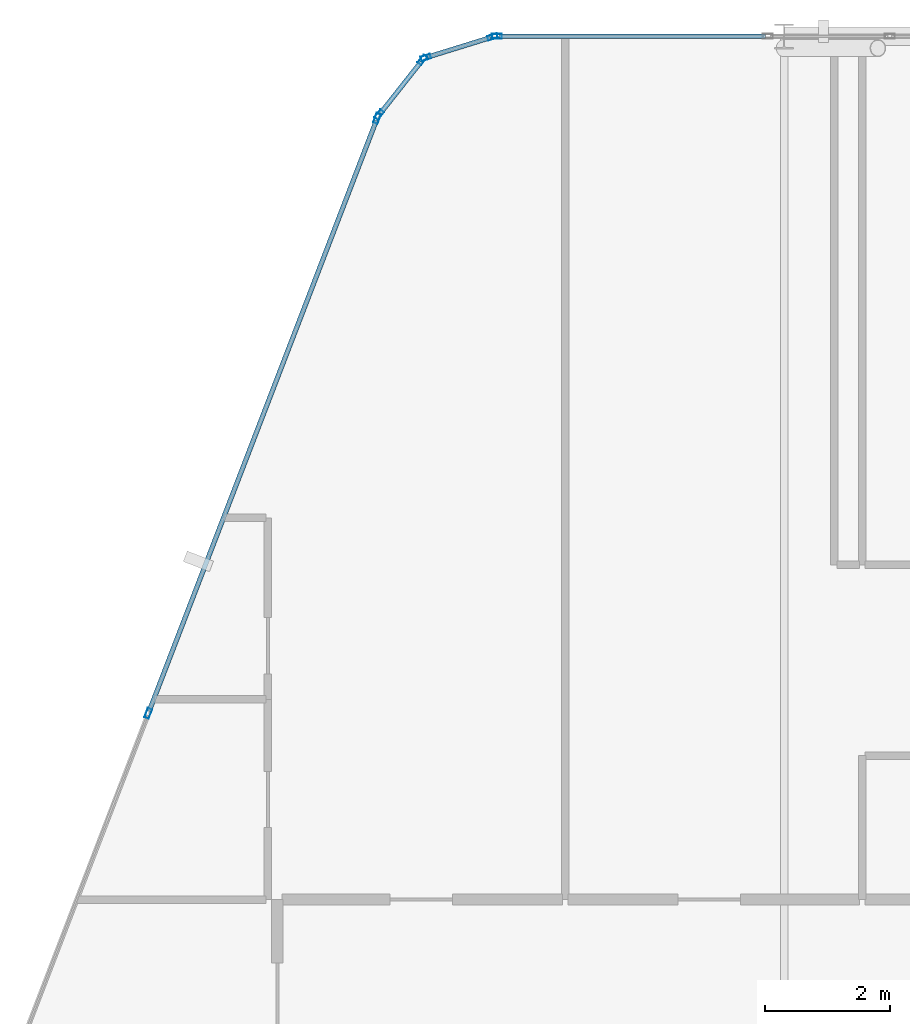
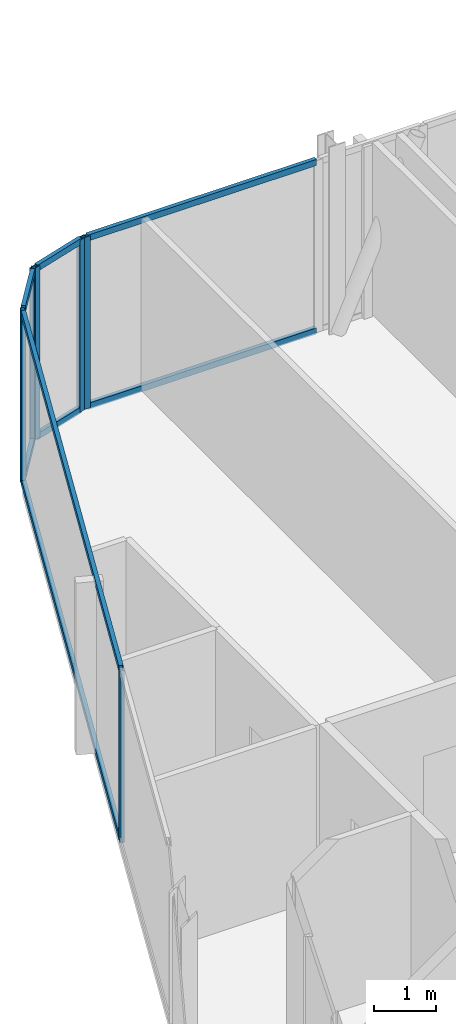
# One storey, part 15 of 28: 15 members, 4 elements without a shape of their own.
"""IFC4 building model written with IfcOpenShell, lengths in metres."""

from ifc_helpers import new_model, si_unit, direction, frame, origin, origin_2d, place, context, subcontext, project, spatial, hollow_rectangle, extrude, material, layer, layer_set, material_profile, profile_set, type_object, element, aggregate, save


model = new_model("IFC4")

# Units and contexts
model_context = context("Model", 3, precision=1e-05, world=origin(), true_north=direction((0.0, 1.0)))
body_context = subcontext(model_context, "Body", "Model", "MODEL_VIEW")
ifc_project = project(units=[si_unit("LENGTHUNIT", "METRE"), si_unit("AREAUNIT", "SQUARE_METRE"), si_unit("VOLUMEUNIT", "CUBIC_METRE"), si_unit("PLANEANGLEUNIT", "RADIAN"), si_unit("MASSUNIT", "GRAM", prefix="KILO")], contexts=[model_context])

# Site, building, storey
site_placement = place(None, origin())
site = spatial("IfcSite", under=ifc_project, at=site_placement, CompositionType="ELEMENT")
building_placement = place(site_placement, origin())
building = spatial("IfcBuilding", under=site, at=building_placement, Name="Keshet Zoharim Tower", CompositionType="ELEMENT")
storey_placement = place(building_placement, frame((0.0, 0.0, 265.800048828125)))
storey = spatial("IfcBuildingStorey", under=building, at=storey_placement, Name="L66", CompositionType="ELEMENT", Elevation=265.800048828125)

# Curtain wall, members
ifc_material = material(Name="Aluminium 6063-T6", Category="aluminium")
ifc_layer = layer(ifc_material, 0.260009765625)
ifc_layer_set = layer_set([ifc_layer], Name="Aluminium 6063-T6")
curtain_wall_type = type_object("IfcCurtainWallType", Name="CW-SYS-06", PredefinedType="NOTDEFINED", material=ifc_layer_set)
curtain_wall_1_placement = place(storey_placement, origin())
curtain_wall_1 = element("IfcCurtainWall", 1, at=curtain_wall_1_placement, inside=storey, type_object=curtain_wall_type, Name="L66 Unitised Curtain Wall 03", PredefinedType="NOTDEFINED")
ifc_material_profile_1 = material_profile(ifc_material, hollow_rectangle(XDim=0.074951171875, YDim=0.159912109375, WallThickness=0.00390625, at=origin_2d()), Name="MUL-75x160")
ifc_profile_set_1 = profile_set([ifc_material_profile_1], Name="Aluminium 6063-T6")
member_type_1 = type_object("IfcMemberType", Name="CWM-M15", PredefinedType="MULLION", material=ifc_profile_set_1)
member_1_placement = place(storey_placement, frame((10.8369140625, 43.076416015625, 0.0), z_axis=(0.0, 0.0, 1.0), x_axis=(-0.933341404361, 0.358990003907, 0.0)))
member_1 = element("IfcMember", 2, at=member_1_placement, type_object=member_type_1, Name="CW-06 mullion 3", PredefinedType="MULLION", context=body_context, shape_type="SweptSolid", body=[
    extrude(hollow_rectangle(XDim=0.074951171875, YDim=0.159912109375, WallThickness=0.00390625, at=origin_2d()), origin(), (0.0, 0.0, 1.0), 3.389892578125),
])
member_2_placement = place(storey_placement, frame((14.494384765625, 52.58544921875, 0.0), z_axis=(0.0, 0.0, 1.0), x_axis=(-0.933341404361, 0.358990003907, 0.0)))
member_2 = element("IfcMember", 3, at=member_2_placement, type_object=member_type_1, Name="CW-06 mullion 4", PredefinedType="MULLION", context=body_context, shape_type="SweptSolid", body=[
    extrude(hollow_rectangle(XDim=0.074951171875, YDim=0.159912109375, WallThickness=0.00390625, at=origin_2d()), origin(), (0.0, 0.0, 1.0), 3.389892578125),
])

curtain_wall_2_placement = place(storey_placement, origin())
curtain_wall_2 = element("IfcCurtainWall", 4, at=curtain_wall_2_placement, inside=storey, type_object=curtain_wall_type, Name="L66 Unitised Curtain Wall 04", PredefinedType="NOTDEFINED")
member_3_placement = place(storey_placement, frame((14.528564453125, 52.6455078125, 0.0), z_axis=(0.0, 0.0, 1.0), x_axis=(-0.785292825205, 0.619124525989, 0.0)))
member_3 = element("IfcMember", 5, at=member_3_placement, type_object=member_type_1, Name="CW-06 mullion 1", PredefinedType="MULLION", context=body_context, shape_type="SweptSolid", body=[
    extrude(hollow_rectangle(XDim=0.074951171875, YDim=0.159912109375, WallThickness=0.00390625, at=origin_2d()), origin(), (0.0, 0.0, 1.0), 3.389892578125),
])
member_4_placement = place(storey_placement, frame((15.21923828125, 53.521484375, 0.0), z_axis=(0.0, 0.0, 1.0), x_axis=(-0.785292825205, 0.619124525989, 0.0)))
member_4 = element("IfcMember", 6, at=member_4_placement, type_object=member_type_1, Name="CW-06 mullion 2", PredefinedType="MULLION", context=body_context, shape_type="SweptSolid", body=[
    extrude(hollow_rectangle(XDim=0.074951171875, YDim=0.159912109375, WallThickness=0.00390625, at=origin_2d()), origin(), (0.0, 0.0, 1.0), 3.389892578125),
])

curtain_wall_3_placement = place(storey_placement, origin())
curtain_wall_3 = element("IfcCurtainWall", 7, at=curtain_wall_3_placement, inside=storey, type_object=curtain_wall_type, Name="L66 Unitised Curtain Wall 05", PredefinedType="NOTDEFINED")
member_5_placement = place(storey_placement, frame((15.2744140625, 53.559326171875, 0.0), z_axis=(0.0, 0.0, 1.0), x_axis=(-0.295921857984, 0.955212151288, 0.0)))
member_5 = element("IfcMember", 8, at=member_5_placement, type_object=member_type_1, Name="CW-06 mullion 1", PredefinedType="MULLION", context=body_context, shape_type="SweptSolid", body=[
    extrude(hollow_rectangle(XDim=0.074951171875, YDim=0.159912109375, WallThickness=0.00390625, at=origin_2d()), origin(), (0.0, 0.0, 1.0), 3.389892578125),
])
member_6_placement = place(storey_placement, frame((16.340576171875, 53.8896484375, 0.0), z_axis=(0.0, 0.0, 1.0), x_axis=(-0.295921857984, 0.955212151288, 0.0)))
member_6 = element("IfcMember", 9, at=member_6_placement, type_object=member_type_1, Name="CW-06 mullion 2", PredefinedType="MULLION", context=body_context, shape_type="SweptSolid", body=[
    extrude(hollow_rectangle(XDim=0.074951171875, YDim=0.159912109375, WallThickness=0.00390625, at=origin_2d()), origin(), (0.0, 0.0, 1.0), 3.389892578125),
])

# Curtain wall, member
curtain_wall_4_placement = place(storey_placement, origin())
curtain_wall_4 = element("IfcCurtainWall", 10, at=curtain_wall_4_placement, inside=storey, type_object=curtain_wall_type, Name="L66 Unitised Curtain Wall 06", PredefinedType="NOTDEFINED")
member_7_placement = place(storey_placement, frame((16.408935546875, 53.89990234375, 0.0), z_axis=(0.0, 0.0, 1.0), x_axis=(0.0, 1.0, 0.0)))
member_7 = element("IfcMember", 11, at=member_7_placement, type_object=member_type_1, Name="CW-06 mullion 1", PredefinedType="MULLION", context=body_context, shape_type="SweptSolid", body=[
    extrude(hollow_rectangle(XDim=0.074951171875, YDim=0.159912109375, WallThickness=0.00390625, at=origin_2d()), origin(), (0.0, 0.0, 1.0), 3.389892578125),
])

# Member
ifc_material_profile_2 = material_profile(ifc_material, hollow_rectangle(XDim=0.074951171875, YDim=0.1201171875, WallThickness=0.00390625, at=origin_2d()), Name="TRN-75x120")
ifc_profile_set_2 = profile_set([ifc_material_profile_2], Name="Aluminium 6063-T6")
member_type_2 = type_object("IfcMemberType", Name="CWT-T12", PredefinedType="USERDEFINED", material=ifc_profile_set_2)
member_8_placement = place(storey_placement, frame((10.849609375, 43.10888671875, 0.034912109375), z_axis=(0.358985546764, 0.933343118694, 0.0), x_axis=(-0.933343118694, 0.358985546764, 0.0)))
member_8 = element("IfcMember", 12, at=member_8_placement, type_object=member_type_2, Name="CW-06 transom 3.1", ObjectType="TRANSOM", PredefinedType="USERDEFINED", context=body_context, shape_type="SweptSolid", body=[
    extrude(hollow_rectangle(XDim=0.074951171875, YDim=0.1201171875, WallThickness=0.00390625, at=origin_2d()), origin(), (0.0, 0.0, 1.0), 10.118408203125),
])

member_9_placement = place(storey_placement, frame((10.849609375, 43.10888671875, 3.35498046875), z_axis=(0.358985546764, 0.933343118694, 0.0), x_axis=(-0.933343118694, 0.358985546764, 0.0)))
member_9 = element("IfcMember", 13, at=member_9_placement, type_object=member_type_2, Name="CW-06 transom 3.2", ObjectType="TRANSOM", PredefinedType="USERDEFINED", context=body_context, shape_type="SweptSolid", body=[
    extrude(hollow_rectangle(XDim=0.074951171875, YDim=0.1201171875, WallThickness=0.00390625, at=origin_2d()), origin(), (0.0, 0.0, 1.0), 10.118408203125),
])

aggregate(curtain_wall_1, [member_1, member_2, member_8, member_9])

member_10_placement = place(storey_placement, frame((14.55029296875, 52.6728515625, 0.034912109375), z_axis=(0.619099165969, 0.78531281837, 0.0), x_axis=(-0.78531281837, 0.619099165969, 0.0)))
member_10 = element("IfcMember", 14, at=member_10_placement, type_object=member_type_2, Name="CW-06 transom 1.1", ObjectType="TRANSOM", PredefinedType="USERDEFINED", context=body_context, shape_type="SweptSolid", body=[
    extrude(hollow_rectangle(XDim=0.074951171875, YDim=0.1201171875, WallThickness=0.00390625, at=origin_2d()), origin(), (0.0, 0.0, 1.0), 1.0458984375),
])

member_11_placement = place(storey_placement, frame((14.55029296875, 52.6728515625, 3.35498046875), z_axis=(0.619099165969, 0.78531281837, 0.0), x_axis=(-0.78531281837, 0.619099165969, 0.0)))
member_11 = element("IfcMember", 15, at=member_11_placement, type_object=member_type_2, Name="CW-06 transom 1.2", ObjectType="TRANSOM", PredefinedType="USERDEFINED", context=body_context, shape_type="SweptSolid", body=[
    extrude(hollow_rectangle(XDim=0.074951171875, YDim=0.1201171875, WallThickness=0.00390625, at=origin_2d()), origin(), (0.0, 0.0, 1.0), 1.0458984375),
])

aggregate(curtain_wall_2, [member_3, member_4, member_10, member_11])

member_12_placement = place(storey_placement, frame((15.307861328125, 53.56982421875, 0.034912109375), z_axis=(0.955212093062, 0.295922045933, 0.0), x_axis=(-0.295922045933, 0.955212093062, 0.0)))
member_12 = element("IfcMember", 16, at=member_12_placement, type_object=member_type_2, Name="CW-06 transom 1.1", ObjectType="TRANSOM", PredefinedType="USERDEFINED", context=body_context, shape_type="SweptSolid", body=[
    extrude(hollow_rectangle(XDim=0.074951171875, YDim=0.1201171875, WallThickness=0.00390625, at=origin_2d()), origin(), (0.0, 0.0, 1.0), 1.046142578125),
])

member_13_placement = place(storey_placement, frame((15.307861328125, 53.56982421875, 3.35498046875), z_axis=(0.955212093062, 0.295922045933, 0.0), x_axis=(-0.295922045933, 0.955212093062, 0.0)))
member_13 = element("IfcMember", 17, at=member_13_placement, type_object=member_type_2, Name="CW-06 transom 1.2", ObjectType="TRANSOM", PredefinedType="USERDEFINED", context=body_context, shape_type="SweptSolid", body=[
    extrude(hollow_rectangle(XDim=0.074951171875, YDim=0.1201171875, WallThickness=0.00390625, at=origin_2d()), origin(), (0.0, 0.0, 1.0), 1.046142578125),
])

aggregate(curtain_wall_3, [member_5, member_6, member_12, member_13])

member_14_placement = place(storey_placement, frame((16.444091796875, 53.89990234375, 0.034912109375), z_axis=(1.0, 0.0, 0.0), x_axis=(0.0, 1.0, 0.0)))
member_14 = element("IfcMember", 18, at=member_14_placement, type_object=member_type_2, Name="CW-06 transom 1.1", ObjectType="TRANSOM", PredefinedType="USERDEFINED", context=body_context, shape_type="SweptSolid", body=[
    extrude(hollow_rectangle(XDim=0.074951171875, YDim=0.1201171875, WallThickness=0.00390625, at=origin_2d()), origin(), (0.0, 0.0, 1.0), 4.260986328125),
])

member_15_placement = place(storey_placement, frame((16.444091796875, 53.89990234375, 3.35498046875), z_axis=(1.0, 0.0, 0.0), x_axis=(0.0, 1.0, 0.0)))
member_15 = element("IfcMember", 19, at=member_15_placement, type_object=member_type_2, Name="CW-06 transom 1.2", ObjectType="TRANSOM", PredefinedType="USERDEFINED", context=body_context, shape_type="SweptSolid", body=[
    extrude(hollow_rectangle(XDim=0.074951171875, YDim=0.1201171875, WallThickness=0.00390625, at=origin_2d()), origin(), (0.0, 0.0, 1.0), 4.260986328125),
])

aggregate(curtain_wall_4, [member_7, member_14, member_15])

save(model, "model.ifc")
